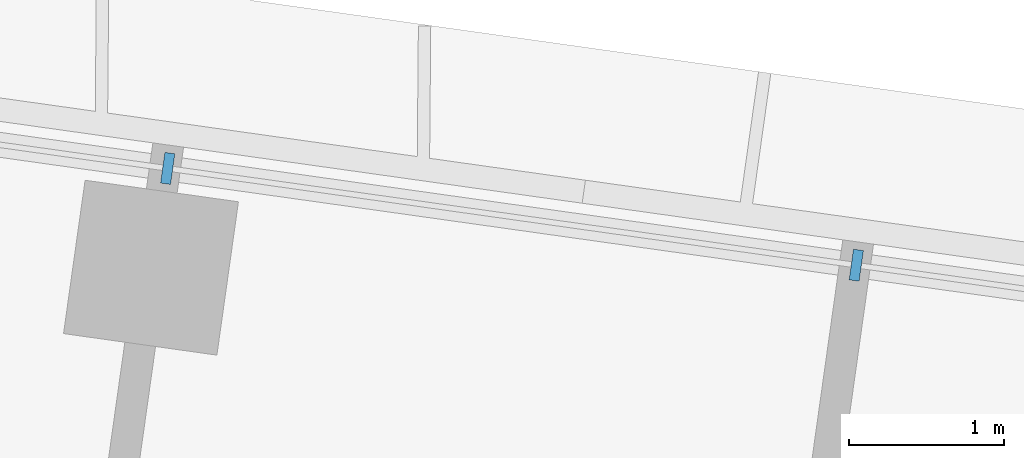
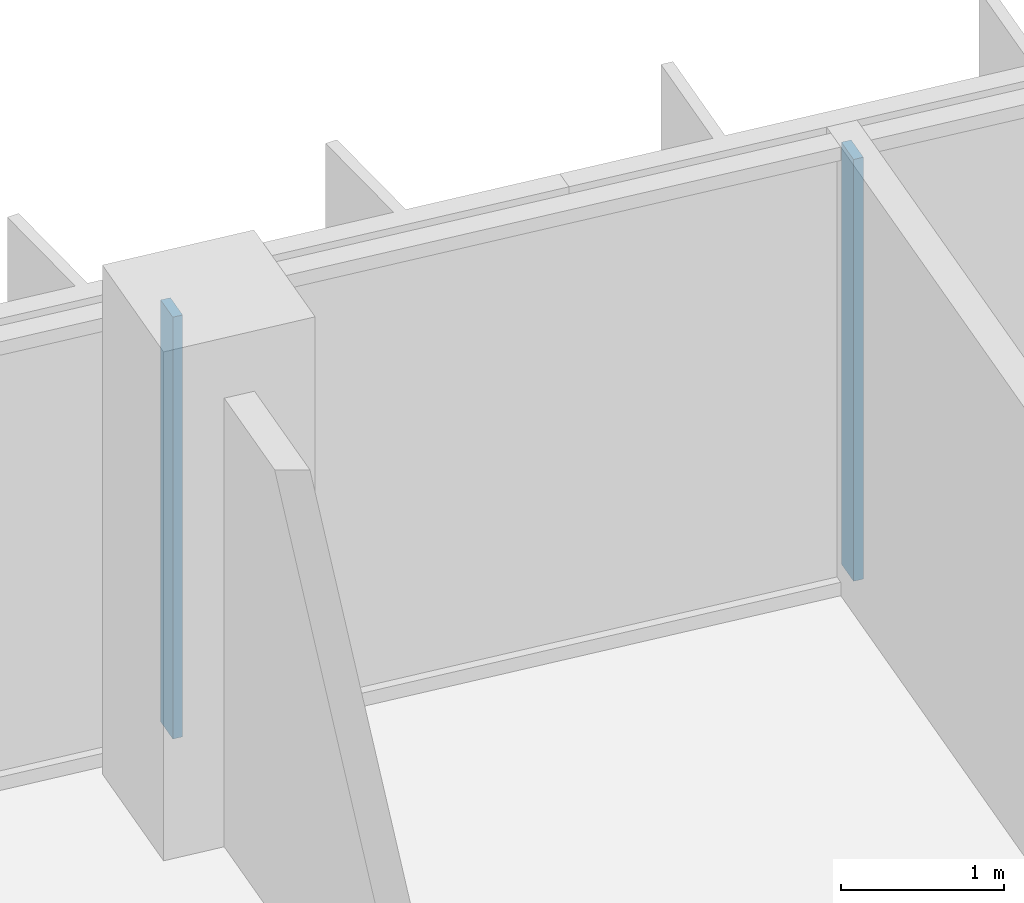
# One storey, part 3 of 25: 2 members, 1 element without a shape of its own.
"""IFC4 building model written with IfcOpenShell, lengths in metres."""

from ifc_helpers import new_model, si_unit, direction, frame, origin, origin_2d, place, context, subcontext, project, spatial, rectangle, extrude, material, material_profile, profile_set, type_object, element, aggregate, save


model = new_model("IFC4")

# Units and contexts
model_context = context("Model", 3, precision=1e-05, world=origin(), true_north=direction((0.0, 1.0)))
body_context = subcontext(model_context, "Body", "Model", "MODEL_VIEW")
ifc_project = project(units=[si_unit("LENGTHUNIT", "METRE"), si_unit("AREAUNIT", "SQUARE_METRE"), si_unit("VOLUMEUNIT", "CUBIC_METRE"), si_unit("PLANEANGLEUNIT", "RADIAN"), si_unit("MASSUNIT", "GRAM", prefix="KILO")], contexts=[model_context])

# Site, building, storey
site_placement = place(None, origin())
site = spatial("IfcSite", under=ifc_project, at=site_placement, CompositionType="ELEMENT")
building_placement = place(site_placement, origin())
building = spatial("IfcBuilding", under=site, at=building_placement, Name="Mirante Cascada Hotel Towers", CompositionType="ELEMENT")
storey_placement = place(building_placement, frame((0.0, 0.0, 58.5)))
storey = spatial("IfcBuildingStorey", under=building, at=storey_placement, Name="L11", CompositionType="ELEMENT", Elevation=58.5)

# Curtain wall, members
ifc_material_1 = material(Name="Aluminium mullion and transom frame with clear laminated glass", Category="aluminium")
curtain_wall_type = type_object("IfcCurtainWallType", Name="Ribbon curtain wall ECW1", PredefinedType="NOTDEFINED", material=ifc_material_1)
curtain_wall_placement = place(storey_placement, origin())
curtain_wall = element("IfcCurtainWall", 1, at=curtain_wall_placement, inside=storey, type_object=curtain_wall_type, Name="Front ribbon wall T1 L11", PredefinedType="NOTDEFINED")
ifc_material_2 = material(Name="Anodised aluminium extrusion", Category="aluminium")
ifc_material_profile = material_profile(ifc_material_2, rectangle(XDim=0.2, YDim=0.065, at=origin_2d()), Name="ECW1 MULLION 65x200")
ifc_profile_set = profile_set([ifc_material_profile], Name="Anodised aluminium extrusion")
member_type = type_object("IfcMemberType", Name="ECW1 mullion 65x200", PredefinedType="MULLION", material=ifc_profile_set)
member_1_placement = place(storey_placement, frame((-71.9211, 22.9269, 0.1), z_axis=(0.0, 0.0, 1.0), x_axis=(0.1391731, 0.9902681, 0.0)))
member_1 = element("IfcMember", 2, at=member_1_placement, type_object=member_type, Name="ECW1 mullion 6", PredefinedType="MULLION", context=body_context, shape_type="SweptSolid", body=[
    extrude(rectangle(XDim=0.2, YDim=0.065, at=origin_2d()), origin(), (0.0, 0.0, 1.0), 3.15),
])
member_2_placement = place(storey_placement, frame((-67.4737, 22.3018, 0.1), z_axis=(0.0, 0.0, 1.0), x_axis=(0.1391731, 0.9902681, 0.0)))
member_2 = element("IfcMember", 3, at=member_2_placement, type_object=member_type, Name="ECW1 mullion 7", PredefinedType="MULLION", context=body_context, shape_type="SweptSolid", body=[
    extrude(rectangle(XDim=0.2, YDim=0.065, at=origin_2d()), origin(), (0.0, 0.0, 1.0), 3.15),
])
aggregate(curtain_wall, [member_1, member_2])

save(model, "model.ifc")
